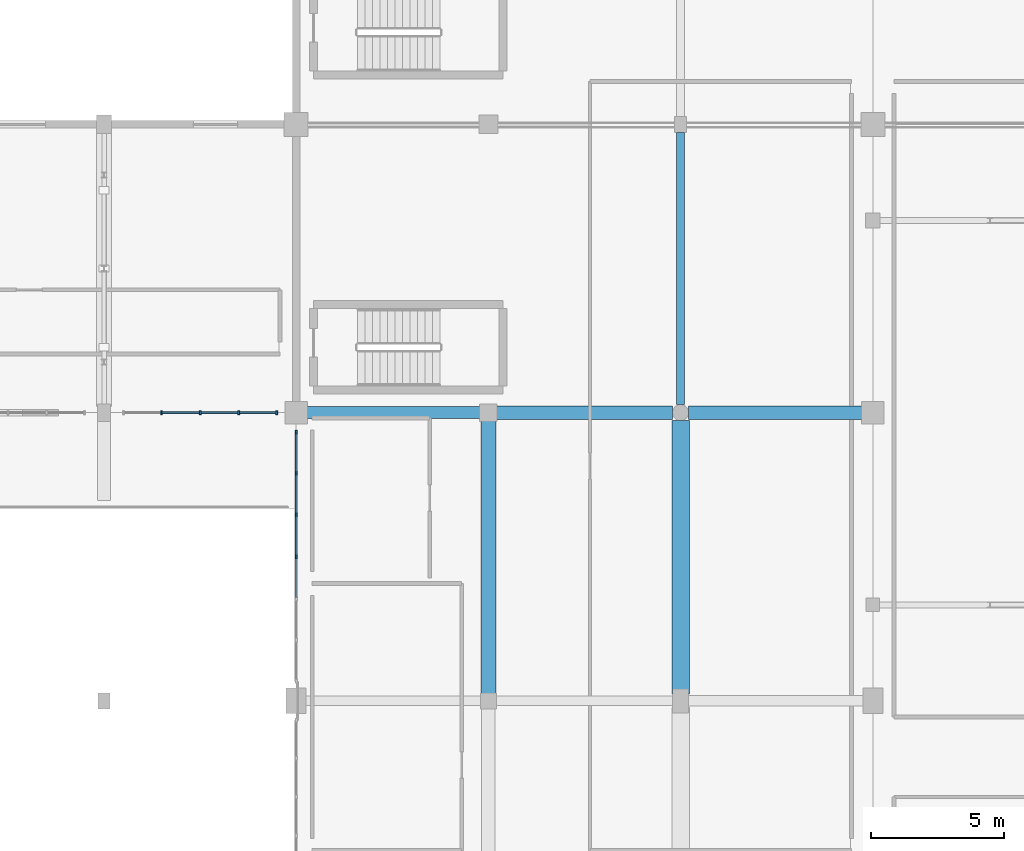
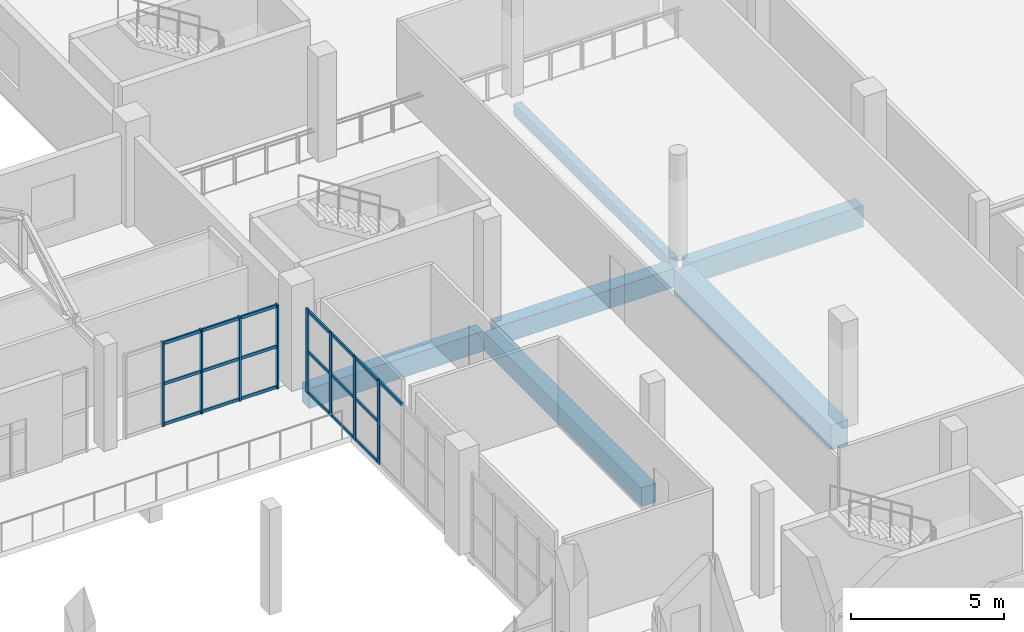
# One storey, part 31 of 92: 27 members, 6 beams, 2 elements without a shape of their own.
"""IFC4 building model written with IfcOpenShell, lengths in metres."""

import ifcopenshell
import ifcopenshell.guid

model = None  # the IFC model being written
_history = None  # IfcOwnerHistory: only IFC2X3 demands one
_inside = {}  # id of a spatial element -> (the spatial element, [elements in it])
_under = {}  # id of a project, library or spatial element -> (it, [spatial elements below it])
_declared = {}  # id of a project -> (the project, [libraries it declares])
_typed = {}  # id of a type object -> (the type object, [elements of that type])
_made_of = {}  # id of a material, layer set ... -> (it, [elements and type objects made of it])


def new_model(schema):
    """Start an empty IFC model of exactly this schema.

    Asked for "IFC4X3", IfcOpenShell would pick the latest addendum, in which some entities
    have other attributes; the version numbers below select the first issue.
    IFC2X3 requires an IfcOwnerHistory on every rooted entity: one is made here for all.
    """
    global model, _history
    if schema == "IFC4X3":
        model = ifcopenshell.file(schema_version=(4, 3, 0, 0))
    else:
        model = ifcopenshell.file(schema=schema)
    _inside.clear()
    _under.clear()
    _declared.clear()
    _typed.clear()
    _made_of.clear()
    _history = None
    if model.schema == "IFC2X3":
        org = make("IfcOrganization", Name="unknown")
        user = make(
            "IfcPersonAndOrganization",
            ThePerson=make("IfcPerson", FamilyName="unknown"),
            TheOrganization=org,
        )
        app = make(
            "IfcApplication",
            ApplicationDeveloper=org,
            Version="unknown",
            ApplicationFullName="unknown",
            ApplicationIdentifier="unknown",
        )
        _history = make(
            "IfcOwnerHistory",
            OwningUser=user,
            OwningApplication=app,
            ChangeAction="ADDED",
            CreationDate=0,
        )
    return model


def make(cls, **values):
    """One entity of the class cls with the attributes given. An attribute that is None is left unset."""
    return model.create_entity(
        cls, **{name: value for name, value in values.items() if value is not None}
    )


def rooted(cls, **values):
    """An entity with a GlobalId (a new one), such as an element, a storey or a relation."""
    return make(cls, GlobalId=ifcopenshell.guid.new(), OwnerHistory=_history, **values)


def si_unit(unit_type, name, prefix=None):
    """IfcSIUnit, for example si_unit("LENGTHUNIT", "METRE", prefix="MILLI")."""
    return make("IfcSIUnit", UnitType=unit_type, Prefix=prefix, Name=name)


def assignment(units):
    """IfcUnitAssignment: the units of a project."""
    return None if units is None else make("IfcUnitAssignment", Units=units)


def point(xyz):
    """IfcCartesianPoint."""
    return None if xyz is None else make("IfcCartesianPoint", Coordinates=xyz)


def direction(xyz):
    """IfcDirection."""
    return None if xyz is None else make("IfcDirection", DirectionRatios=xyz)


def frame(location, z_axis=None, x_axis=None):
    """IfcAxis2Placement3D, a coordinate frame: its origin and axes. An axis left out is left unset."""
    return make(
        "IfcAxis2Placement3D",
        Location=point(location),
        Axis=direction(z_axis),
        RefDirection=direction(x_axis),
    )


def frame_2d(location, x_axis=None):
    """IfcAxis2Placement2D, a coordinate frame in the plane: its origin and x axis."""
    return make(
        "IfcAxis2Placement2D", Location=point(location), RefDirection=direction(x_axis)
    )


def origin():
    """The frame at (0, 0, 0) with its axes left unset."""
    return frame((0.0, 0.0, 0.0))


def origin_2d():
    """The frame at (0, 0) in the plane with its x axis left unset."""
    return frame_2d((0.0, 0.0))


def place(relative_to, where):
    """IfcLocalPlacement: puts the frame where relative to a parent placement (None: the world)."""
    return make(
        "IfcLocalPlacement", PlacementRelTo=relative_to, RelativePlacement=where
    )


def context(
    kind, dimensions, precision=None, world=None, true_north=None, identifier=None
):
    """IfcGeometricRepresentationContext, for example the 3D "Model" context."""
    return make(
        "IfcGeometricRepresentationContext",
        ContextIdentifier=identifier,
        ContextType=kind,
        CoordinateSpaceDimension=dimensions,
        Precision=precision,
        WorldCoordinateSystem=world,
        TrueNorth=true_north,
    )


def subcontext(parent, identifier, kind, view, scale=None):
    """IfcGeometricRepresentationSubContext, for example "Body" below "Model"."""
    return make(
        "IfcGeometricRepresentationSubContext",
        ContextIdentifier=identifier,
        ContextType=kind,
        ParentContext=parent,
        TargetScale=scale,
        TargetView=view,
    )


def project(units=None, contexts=None):
    """IfcProject with its units and contexts."""
    return rooted(
        "IfcProject",
        Name="project",
        RepresentationContexts=contexts,
        UnitsInContext=assignment(units),
    )


def spatial(cls, under=None, at=None, **own):
    """A site, building, storey or space (cls), placed at a placement, below another one or the project."""
    s = rooted(cls, ObjectPlacement=at, **own)
    if under is not None:
        _under.setdefault(under.id(), (under, []))[1].append(s)
    return s


def profile(cls, at=None, kind="AREA", **sizes):
    """A parametric profile (cls). Its sizes go by their IFC names, for example OverallWidth=200.0."""
    return make(cls, ProfileType=kind, Position=at, **sizes)


def rectangle(**sizes):
    """IfcRectangleProfileDef."""
    return profile("IfcRectangleProfileDef", **sizes)


def extrude(swept, where, along, depth):
    """IfcExtrudedAreaSolid: the profile swept, set in the frame where, extruded along a direction by depth."""
    return make(
        "IfcExtrudedAreaSolid",
        SweptArea=swept,
        Position=where,
        ExtrudedDirection=direction(along),
        Depth=depth,
    )


def shape(context_of_items, identifier, shape_type, items):
    """IfcShapeRepresentation: the items that make up one representation, for example the "Body"."""
    return make(
        "IfcShapeRepresentation",
        ContextOfItems=context_of_items,
        RepresentationIdentifier=identifier,
        RepresentationType=shape_type,
        Items=items,
    )


def material(Name=None, Category=None):
    """IfcMaterial."""
    return make("IfcMaterial", Name=Name, Category=Category)


def material_profile(
    of_material, cross_section, Name=None, Category=None, Priority=None
):
    """IfcMaterialProfile: a cross section and its material."""
    return make(
        "IfcMaterialProfile",
        Name=Name,
        Material=of_material,
        Profile=cross_section,
        Priority=Priority,
        Category=Category,
    )


def profile_set(profiles, Name=None, composite=None):
    """IfcMaterialProfileSet."""
    return make(
        "IfcMaterialProfileSet",
        Name=Name,
        MaterialProfiles=profiles,
        CompositeProfile=composite,
    )


def made_of(thing, what):
    """Note that an element or type object is made of a material, layer set ...; save() writes the relation."""
    if what is not None:
        _made_of.setdefault(what.id(), (what, []))[1].append(thing)
    return thing


def type_object(cls, material=None, **own):
    """A type object (cls), such as IfcWallType, which elements share."""
    return made_of(rooted(cls, **own), material)


def element(
    cls,
    number,
    at=None,
    inside=None,
    cuts=None,
    type_object=None,
    material=None,
    context=None,
    identifier="Body",
    shape_type=None,
    held_by="IfcProductDefinitionShape",
    body=None,
    shapes=None,
    **own,
):
    """One element of the class cls, such as IfcWall. Its Tag is "e" and its number.

    at: its placement. inside: the storey or other place that contains it. cuts: it is an
    opening in that element (IfcRelVoidsElement). A single representation is given by context,
    identifier, shape_type and body (its items); several are given by shapes. held_by: the class
    of the entity that holds the representations. save() writes the other relations.
    """
    e = rooted(cls, Tag="e%d" % number, ObjectPlacement=at, **own)
    if body is not None:
        shapes = [shape(context, identifier, shape_type, body)]
    if shapes is not None:
        e.Representation = make(held_by, Representations=shapes)
    if inside is not None:
        _inside.setdefault(inside.id(), (inside, []))[1].append(e)
    if cuts is not None:
        rooted(
            "IfcRelVoidsElement", RelatingBuildingElement=cuts, RelatedOpeningElement=e
        )
    if type_object is not None:
        _typed.setdefault(type_object.id(), (type_object, []))[1].append(e)
    return made_of(e, material)


def aggregate(whole, parts):
    """IfcRelAggregates: a whole, such as a stair, and the parts it consists of."""
    return rooted("IfcRelAggregates", RelatingObject=whole, RelatedObjects=parts)


def save(model, path):
    """Write the relations noted so far, then the file.

    IfcRelAggregates (storeys below a building ...), IfcRelContainedInSpatialStructure (elements
    in a storey), IfcRelDefinesByType, IfcRelAssociatesMaterial and IfcRelDeclares: one each for
    every whole, place, type object, material and project.
    """
    for whole, parts in _under.values():
        aggregate(whole, parts)
    for where, things in _inside.values():
        rooted(
            "IfcRelContainedInSpatialStructure",
            RelatedElements=things,
            RelatingStructure=where,
        )
    for kind, things in _typed.values():
        rooted("IfcRelDefinesByType", RelatedObjects=things, RelatingType=kind)
    for what, things in _made_of.values():
        rooted("IfcRelAssociatesMaterial", RelatedObjects=things, RelatingMaterial=what)
    for by, libraries in _declared.values():
        rooted("IfcRelDeclares", RelatingContext=by, RelatedDefinitions=libraries)
    model.write(path)


model = new_model("IFC4")

# Units and contexts
model_context = context("Model", 3, precision=1e-05, world=origin(), true_north=direction((0.0, 1.0)))
body_context = subcontext(model_context, "Body", "Model", "MODEL_VIEW")
ifc_project = project(units=[si_unit("LENGTHUNIT", "METRE"), si_unit("AREAUNIT", "SQUARE_METRE"), si_unit("VOLUMEUNIT", "CUBIC_METRE"), si_unit("PLANEANGLEUNIT", "RADIAN"), si_unit("MASSUNIT", "GRAM", prefix="KILO")], contexts=[model_context])

# Site, building, storey
site_placement = place(None, origin())
site = spatial("IfcSite", under=ifc_project, at=site_placement, CompositionType="ELEMENT")
building_placement = place(site_placement, origin())
building = spatial("IfcBuilding", under=site, at=building_placement, Name="Solanera Park Tramway Depot", CompositionType="ELEMENT")
storey_placement = place(building_placement, frame((0.0, 0.0, 4.800048828125)))
storey = spatial("IfcBuildingStorey", under=building, at=storey_placement, Name="L01", CompositionType="ELEMENT", Elevation=4.800048828125)

# Curtain wall, members
ifc_material_1 = material(Name="Bronze-anodised thermally broken aluminium curtain wall", Category="aluminium")
curtain_wall_type = type_object("IfcCurtainWallType", Name="Courtyard Cloister Unitised Curtain Wall", PredefinedType="NOTDEFINED", material=ifc_material_1)
curtain_wall_1_placement = place(storey_placement, origin())
curtain_wall_1 = element("IfcCurtainWall", 1, at=curtain_wall_1_placement, inside=storey, type_object=curtain_wall_type, Name="L01 Courtyard Cloister Unitised Curtain Wall #099", PredefinedType="NOTDEFINED")
ifc_material_2 = material(Name="Bronze-anodised structural aluminium 6063-T6", Category="aluminium")
ifc_material_profile_1 = material_profile(ifc_material_2, rectangle(XDim=0.06494140625, YDim=0.14990234375, at=origin_2d()), Name="Curtain Wall Mullion 65x150")
ifc_profile_set_1 = profile_set([ifc_material_profile_1], Name="Bronze-anodised structural aluminium 6063-T6")
member_type_1 = type_object("IfcMemberType", Name="Curtain Wall Mullion 65x150", PredefinedType="MULLION", material=ifc_profile_set_1)
member_1_placement = place(storey_placement, frame((164.867431640625, 43.199951171875, 0.0), z_axis=(0.0, 0.0, 1.0), x_axis=(1.0, 0.0, 0.0)))
member_1 = element("IfcMember", 2, at=member_1_placement, type_object=member_type_1, Name="CW-L01-099 Mullion 1", PredefinedType="MULLION", context=body_context, shape_type="SweptSolid", body=[
    extrude(rectangle(XDim=0.06494140625, YDim=0.14990234375, at=origin_2d()), origin(), (0.0, 0.0, 1.0), 3.349853515625),
])
member_2_placement = place(storey_placement, frame((163.449951171875, 43.199951171875, 0.0), z_axis=(0.0, 0.0, 1.0), x_axis=(1.0, 0.0, 0.0)))
member_2 = element("IfcMember", 3, at=member_2_placement, type_object=member_type_1, Name="CW-L01-099 Mullion 2", PredefinedType="MULLION", context=body_context, shape_type="SweptSolid", body=[
    extrude(rectangle(XDim=0.06494140625, YDim=0.14990234375, at=origin_2d()), origin(), (0.0, 0.0, 1.0), 3.349853515625),
])
member_3_placement = place(storey_placement, frame((162.0, 43.199951171875, 0.0), z_axis=(0.0, 0.0, 1.0), x_axis=(1.0, 0.0, 0.0)))
member_3 = element("IfcMember", 4, at=member_3_placement, type_object=member_type_1, Name="CW-L01-099 Mullion 3", PredefinedType="MULLION", context=body_context, shape_type="SweptSolid", body=[
    extrude(rectangle(XDim=0.06494140625, YDim=0.14990234375, at=origin_2d()), origin(), (0.0, 0.0, 1.0), 3.349853515625),
])
member_4_placement = place(storey_placement, frame((160.550048828125, 43.199951171875, 0.0), z_axis=(0.0, 0.0, 1.0), x_axis=(1.0, 0.0, 0.0)))
member_4 = element("IfcMember", 5, at=member_4_placement, type_object=member_type_1, Name="CW-L01-099 Mullion 4", PredefinedType="MULLION", context=body_context, shape_type="SweptSolid", body=[
    extrude(rectangle(XDim=0.06494140625, YDim=0.14990234375, at=origin_2d()), origin(), (0.0, 0.0, 1.0), 3.349853515625),
])

curtain_wall_2_placement = place(storey_placement, origin())
curtain_wall_2 = element("IfcCurtainWall", 6, at=curtain_wall_2_placement, inside=storey, type_object=curtain_wall_type, Name="L01 Courtyard Cloister Unitised Curtain Wall #103", PredefinedType="NOTDEFINED")
member_5_placement = place(storey_placement, frame((165.60009765625, 42.467529296875, 0.0), z_axis=(0.0, 0.0, 1.0), x_axis=(1.0, 0.0, 0.0)))
member_5 = element("IfcMember", 7, at=member_5_placement, type_object=member_type_1, Name="CW-L01-103 Mullion 1", PredefinedType="MULLION", context=body_context, shape_type="SweptSolid", body=[
    extrude(rectangle(XDim=0.06494140625, YDim=0.14990234375, at=origin_2d()), origin(), (0.0, 0.0, 1.0), 3.349853515625),
])
member_6_placement = place(storey_placement, frame((165.60009765625, 40.933349609375, 0.0), z_axis=(0.0, 0.0, 1.0), x_axis=(1.0, 0.0, 0.0)))
member_6 = element("IfcMember", 8, at=member_6_placement, type_object=member_type_1, Name="CW-L01-103 Mullion 2", PredefinedType="MULLION", context=body_context, shape_type="SweptSolid", body=[
    extrude(rectangle(XDim=0.06494140625, YDim=0.14990234375, at=origin_2d()), origin(), (0.0, 0.0, 1.0), 3.349853515625),
])
member_7_placement = place(storey_placement, frame((165.60009765625, 39.36669921875, 0.0), z_axis=(0.0, 0.0, 1.0), x_axis=(1.0, 0.0, 0.0)))
member_7 = element("IfcMember", 9, at=member_7_placement, type_object=member_type_1, Name="CW-L01-103 Mullion 3", PredefinedType="MULLION", context=body_context, shape_type="SweptSolid", body=[
    extrude(rectangle(XDim=0.06494140625, YDim=0.14990234375, at=origin_2d()), origin(), (0.0, 0.0, 1.0), 3.349853515625),
])
member_8_placement = place(storey_placement, frame((165.60009765625, 37.800048828125, 0.0), z_axis=(0.0, 0.0, 1.0), x_axis=(1.0, 0.0, 0.0)))
member_8 = element("IfcMember", 10, at=member_8_placement, type_object=member_type_1, Name="CW-L01-103 Mullion 4", PredefinedType="MULLION", context=body_context, shape_type="SweptSolid", body=[
    extrude(rectangle(XDim=0.06494140625, YDim=0.14990234375, at=origin_2d()), origin(), (0.0, 0.0, 1.0), 3.349853515625),
])

# Member
ifc_material_3 = material(Name="Bronze-anodised structural aluminium 6063-T6", Category="aluminium")
ifc_material_profile_2 = material_profile(ifc_material_3, rectangle(XDim=0.06494140625, YDim=0.1201171875, at=origin_2d()), Name="Curtain Wall Transom 65x120")
ifc_profile_set_2 = profile_set([ifc_material_profile_2], Name="Bronze-anodised structural aluminium 6063-T6")
member_type_2 = type_object("IfcMemberType", Name="Curtain Wall Transom 65x120", PredefinedType="USERDEFINED", material=ifc_profile_set_2)
member_9_placement = place(storey_placement, frame((164.839599609375, 43.199951171875, 0.06005859375), z_axis=(-1.0, 0.0, 0.0), x_axis=(0.0, -1.0, 0.0)))
member_9 = element("IfcMember", 11, at=member_9_placement, type_object=member_type_2, Name="CW-L01-099 Transom R1.C1", ObjectType="TRANSOM", PredefinedType="USERDEFINED", context=body_context, shape_type="SweptSolid", body=[
    extrude(rectangle(XDim=0.06494140625, YDim=0.1201171875, at=origin_2d()), origin(), (0.0, 0.0, 1.0), 1.361572265625),
])

member_10_placement = place(storey_placement, frame((163.422119140625, 43.199951171875, 0.06005859375), z_axis=(-1.0, 0.0, 0.0), x_axis=(0.0, -1.0, 0.0)))
member_10 = element("IfcMember", 12, at=member_10_placement, type_object=member_type_2, Name="CW-L01-099 Transom R1.C2", ObjectType="TRANSOM", PredefinedType="USERDEFINED", context=body_context, shape_type="SweptSolid", body=[
    extrude(rectangle(XDim=0.06494140625, YDim=0.1201171875, at=origin_2d()), origin(), (0.0, 0.0, 1.0), 1.39404296875),
])

member_11_placement = place(storey_placement, frame((161.971923828125, 43.199951171875, 0.06005859375), z_axis=(-1.0, 0.0, 0.0), x_axis=(0.0, -1.0, 0.0)))
member_11 = element("IfcMember", 13, at=member_11_placement, type_object=member_type_2, Name="CW-L01-099 Transom R1.C3", ObjectType="TRANSOM", PredefinedType="USERDEFINED", context=body_context, shape_type="SweptSolid", body=[
    extrude(rectangle(XDim=0.06494140625, YDim=0.1201171875, at=origin_2d()), origin(), (0.0, 0.0, 1.0), 1.39404296875),
])

member_12_placement = place(storey_placement, frame((164.839599609375, 43.199951171875, 1.675048828125), z_axis=(-1.0, 0.0, 0.0), x_axis=(0.0, -1.0, 0.0)))
member_12 = element("IfcMember", 14, at=member_12_placement, type_object=member_type_2, Name="CW-L01-099 Transom R2.C1", ObjectType="TRANSOM", PredefinedType="USERDEFINED", context=body_context, shape_type="SweptSolid", body=[
    extrude(rectangle(XDim=0.06494140625, YDim=0.1201171875, at=origin_2d()), origin(), (0.0, 0.0, 1.0), 1.361572265625),
])

member_13_placement = place(storey_placement, frame((163.422119140625, 43.199951171875, 1.675048828125), z_axis=(-1.0, 0.0, 0.0), x_axis=(0.0, -1.0, 0.0)))
member_13 = element("IfcMember", 15, at=member_13_placement, type_object=member_type_2, Name="CW-L01-099 Transom R2.C2", ObjectType="TRANSOM", PredefinedType="USERDEFINED", context=body_context, shape_type="SweptSolid", body=[
    extrude(rectangle(XDim=0.06494140625, YDim=0.1201171875, at=origin_2d()), origin(), (0.0, 0.0, 1.0), 1.39404296875),
])

member_14_placement = place(storey_placement, frame((161.971923828125, 43.199951171875, 1.675048828125), z_axis=(-1.0, 0.0, 0.0), x_axis=(0.0, -1.0, 0.0)))
member_14 = element("IfcMember", 16, at=member_14_placement, type_object=member_type_2, Name="CW-L01-099 Transom R2.C3", ObjectType="TRANSOM", PredefinedType="USERDEFINED", context=body_context, shape_type="SweptSolid", body=[
    extrude(rectangle(XDim=0.06494140625, YDim=0.1201171875, at=origin_2d()), origin(), (0.0, 0.0, 1.0), 1.39404296875),
])

member_15_placement = place(storey_placement, frame((164.839599609375, 43.199951171875, 3.2900390625), z_axis=(-1.0, 0.0, 0.0), x_axis=(0.0, -1.0, 0.0)))
member_15 = element("IfcMember", 17, at=member_15_placement, type_object=member_type_2, Name="CW-L01-099 Transom R3.C1", ObjectType="TRANSOM", PredefinedType="USERDEFINED", context=body_context, shape_type="SweptSolid", body=[
    extrude(rectangle(XDim=0.06494140625, YDim=0.1201171875, at=origin_2d()), origin(), (0.0, 0.0, 1.0), 1.361572265625),
])

member_16_placement = place(storey_placement, frame((163.422119140625, 43.199951171875, 3.2900390625), z_axis=(-1.0, 0.0, 0.0), x_axis=(0.0, -1.0, 0.0)))
member_16 = element("IfcMember", 18, at=member_16_placement, type_object=member_type_2, Name="CW-L01-099 Transom R3.C2", ObjectType="TRANSOM", PredefinedType="USERDEFINED", context=body_context, shape_type="SweptSolid", body=[
    extrude(rectangle(XDim=0.06494140625, YDim=0.1201171875, at=origin_2d()), origin(), (0.0, 0.0, 1.0), 1.39404296875),
])

member_17_placement = place(storey_placement, frame((161.971923828125, 43.199951171875, 3.2900390625), z_axis=(-1.0, 0.0, 0.0), x_axis=(0.0, -1.0, 0.0)))
member_17 = element("IfcMember", 19, at=member_17_placement, type_object=member_type_2, Name="CW-L01-099 Transom R3.C3", ObjectType="TRANSOM", PredefinedType="USERDEFINED", context=body_context, shape_type="SweptSolid", body=[
    extrude(rectangle(XDim=0.06494140625, YDim=0.1201171875, at=origin_2d()), origin(), (0.0, 0.0, 1.0), 1.39404296875),
])

aggregate(curtain_wall_1, [member_1, member_2, member_3, member_4, member_9, member_10, member_11, member_12, member_13, member_14, member_15, member_16, member_17])

member_18_placement = place(storey_placement, frame((165.60009765625, 42.439453125, 0.06005859375), z_axis=(0.0, -1.0, 0.0), x_axis=(1.0, 0.0, 0.0)))
member_18 = element("IfcMember", 20, at=member_18_placement, type_object=member_type_2, Name="CW-L01-103 Transom R1.C1", ObjectType="TRANSOM", PredefinedType="USERDEFINED", context=body_context, shape_type="SweptSolid", body=[
    extrude(rectangle(XDim=0.06494140625, YDim=0.1201171875, at=origin_2d()), origin(), (0.0, 0.0, 1.0), 1.478271484375),
])

member_19_placement = place(storey_placement, frame((165.60009765625, 40.9052734375, 0.06005859375), z_axis=(0.0, -1.0, 0.0), x_axis=(1.0, 0.0, 0.0)))
member_19 = element("IfcMember", 21, at=member_19_placement, type_object=member_type_2, Name="CW-L01-103 Transom R1.C2", ObjectType="TRANSOM", PredefinedType="USERDEFINED", context=body_context, shape_type="SweptSolid", body=[
    extrude(rectangle(XDim=0.06494140625, YDim=0.1201171875, at=origin_2d()), origin(), (0.0, 0.0, 1.0), 1.510498046875),
])

member_20_placement = place(storey_placement, frame((165.60009765625, 39.338623046875, 0.06005859375), z_axis=(0.0, -1.0, 0.0), x_axis=(1.0, 0.0, 0.0)))
member_20 = element("IfcMember", 22, at=member_20_placement, type_object=member_type_2, Name="CW-L01-103 Transom R1.C3", ObjectType="TRANSOM", PredefinedType="USERDEFINED", context=body_context, shape_type="SweptSolid", body=[
    extrude(rectangle(XDim=0.06494140625, YDim=0.1201171875, at=origin_2d()), origin(), (0.0, 0.0, 1.0), 1.5107421875),
])

member_21_placement = place(storey_placement, frame((165.60009765625, 42.439453125, 1.675048828125), z_axis=(0.0, -1.0, 0.0), x_axis=(1.0, 0.0, 0.0)))
member_21 = element("IfcMember", 23, at=member_21_placement, type_object=member_type_2, Name="CW-L01-103 Transom R2.C1", ObjectType="TRANSOM", PredefinedType="USERDEFINED", context=body_context, shape_type="SweptSolid", body=[
    extrude(rectangle(XDim=0.06494140625, YDim=0.1201171875, at=origin_2d()), origin(), (0.0, 0.0, 1.0), 1.478271484375),
])

member_22_placement = place(storey_placement, frame((165.60009765625, 40.9052734375, 1.675048828125), z_axis=(0.0, -1.0, 0.0), x_axis=(1.0, 0.0, 0.0)))
member_22 = element("IfcMember", 24, at=member_22_placement, type_object=member_type_2, Name="CW-L01-103 Transom R2.C2", ObjectType="TRANSOM", PredefinedType="USERDEFINED", context=body_context, shape_type="SweptSolid", body=[
    extrude(rectangle(XDim=0.06494140625, YDim=0.1201171875, at=origin_2d()), origin(), (0.0, 0.0, 1.0), 1.510498046875),
])

member_23_placement = place(storey_placement, frame((165.60009765625, 39.338623046875, 1.675048828125), z_axis=(0.0, -1.0, 0.0), x_axis=(1.0, 0.0, 0.0)))
member_23 = element("IfcMember", 25, at=member_23_placement, type_object=member_type_2, Name="CW-L01-103 Transom R2.C3", ObjectType="TRANSOM", PredefinedType="USERDEFINED", context=body_context, shape_type="SweptSolid", body=[
    extrude(rectangle(XDim=0.06494140625, YDim=0.1201171875, at=origin_2d()), origin(), (0.0, 0.0, 1.0), 1.5107421875),
])

member_24_placement = place(storey_placement, frame((165.60009765625, 42.439453125, 3.2900390625), z_axis=(0.0, -1.0, 0.0), x_axis=(1.0, 0.0, 0.0)))
member_24 = element("IfcMember", 26, at=member_24_placement, type_object=member_type_2, Name="CW-L01-103 Transom R3.C1", ObjectType="TRANSOM", PredefinedType="USERDEFINED", context=body_context, shape_type="SweptSolid", body=[
    extrude(rectangle(XDim=0.06494140625, YDim=0.1201171875, at=origin_2d()), origin(), (0.0, 0.0, 1.0), 1.478271484375),
])

member_25_placement = place(storey_placement, frame((165.60009765625, 40.9052734375, 3.2900390625), z_axis=(0.0, -1.0, 0.0), x_axis=(1.0, 0.0, 0.0)))
member_25 = element("IfcMember", 27, at=member_25_placement, type_object=member_type_2, Name="CW-L01-103 Transom R3.C2", ObjectType="TRANSOM", PredefinedType="USERDEFINED", context=body_context, shape_type="SweptSolid", body=[
    extrude(rectangle(XDim=0.06494140625, YDim=0.1201171875, at=origin_2d()), origin(), (0.0, 0.0, 1.0), 1.510498046875),
])

member_26_placement = place(storey_placement, frame((165.60009765625, 39.338623046875, 3.2900390625), z_axis=(0.0, -1.0, 0.0), x_axis=(1.0, 0.0, 0.0)))
member_26 = element("IfcMember", 28, at=member_26_placement, type_object=member_type_2, Name="CW-L01-103 Transom R3.C3", ObjectType="TRANSOM", PredefinedType="USERDEFINED", context=body_context, shape_type="SweptSolid", body=[
    extrude(rectangle(XDim=0.06494140625, YDim=0.1201171875, at=origin_2d()), origin(), (0.0, 0.0, 1.0), 1.5107421875),
])

member_27_placement = place(storey_placement, frame((165.60009765625, 37.77197265625, 3.2900390625), z_axis=(0.0, -1.0, 0.0), x_axis=(1.0, 0.0, 0.0)))
member_27 = element("IfcMember", 29, at=member_27_placement, type_object=member_type_2, Name="CW-L01-103 Transom R3.C4", ObjectType="TRANSOM", PredefinedType="USERDEFINED", context=body_context, shape_type="SweptSolid", body=[
    extrude(rectangle(XDim=0.06494140625, YDim=0.1201171875, at=origin_2d()), origin(), (0.0, 0.0, 1.0), 1.5107421875),
])

aggregate(curtain_wall_2, [member_5, member_6, member_7, member_8, member_18, member_19, member_20, member_21, member_22, member_23, member_24, member_25, member_26, member_27])

# Beams
ifc_material_4 = material(Name="Concrete N40 (C40/50)", Category="concrete")
ifc_material_profile_3 = material_profile(ifc_material_4, rectangle(XDim=0.300048828125, YDim=0.449951171875, at=origin_2d()), Name="RCB 300x450")
ifc_profile_set_3 = profile_set([ifc_material_profile_3], Name="Concrete N40 (C40/50)")
beam_type_1 = type_object("IfcBeamType", Name="RC Floor Beam RCB 300x450", PredefinedType="BEAM", material=ifc_profile_set_3)
beam_1_placement = place(storey_placement, frame((180.0, 43.5, -0.504150390625), z_axis=(0.0, 1.0, 0.0), x_axis=(-1.0, 0.0, 0.0)))
element("IfcBeam", 30, at=beam_1_placement, inside=storey, type_object=beam_type_1, Name="L01 Primary Y-Girder RCB 300x450 #0076", PredefinedType="BEAM", context=body_context, shape_type="SweptSolid", body=[
    extrude(rectangle(XDim=0.300048828125, YDim=0.449951171875, at=origin_2d()), origin(), (0.0, 0.0, 1.0), 10.199951171875),
])
ifc_material_5 = material(Name="Concrete N40 (C40/50)", Category="concrete")
ifc_material_profile_4 = material_profile(ifc_material_5, rectangle(XDim=0.449951171875, YDim=0.800048828125, at=origin_2d()), Name="RCB 450x800")
ifc_profile_set_4 = profile_set([ifc_material_profile_4], Name="Concrete N40 (C40/50)")
beam_type_2 = type_object("IfcBeamType", Name="RC Floor Beam RCB 450x800", PredefinedType="BEAM", material=ifc_profile_set_4)
beam_2_placement = place(storey_placement, frame((165.949951171875, 43.199951171875, -0.678955078125), z_axis=(1.0, 0.0, 0.0), x_axis=(0.0, 1.0, 0.0)))
element("IfcBeam", 31, at=beam_2_placement, inside=storey, type_object=beam_type_2, Name="L01 Primary X-Girder RCB 450x800 #0029", PredefinedType="BEAM", context=body_context, shape_type="SweptSolid", body=[
    extrude(rectangle(XDim=0.449951171875, YDim=0.800048828125, at=origin_2d()), origin(), (0.0, 0.0, 1.0), 6.574951171875),
])
ifc_material_6 = material(Name="Concrete N40 (C40/50)", Category="concrete")
ifc_material_profile_5 = material_profile(ifc_material_6, rectangle(XDim=0.5, YDim=0.75, at=origin_2d()), Name="RCB 500x750")
ifc_profile_set_5 = profile_set([ifc_material_profile_5], Name="Concrete N40 (C40/50)")
beam_type_3 = type_object("IfcBeamType", Name="RC Floor Beam RCB 500x750", PredefinedType="BEAM", material=ifc_profile_set_5)
beam_3_placement = place(storey_placement, frame((173.074951171875, 43.199951171875, -0.654052734375), z_axis=(1.0, 0.0, 0.0), x_axis=(0.0, 1.0, 0.0)))
element("IfcBeam", 32, at=beam_3_placement, inside=storey, type_object=beam_type_3, Name="L01 Primary X-Girder RCB 500x750 #0030", PredefinedType="BEAM", context=body_context, shape_type="SweptSolid", body=[
    extrude(rectangle(XDim=0.5, YDim=0.75, at=origin_2d()), origin(), (0.0, 0.0, 1.0), 6.625),
])
ifc_material_7 = material(Name="Concrete N40 (C40/50)", Category="concrete")
ifc_material_profile_6 = material_profile(ifc_material_7, rectangle(XDim=0.5, YDim=0.85009765625, at=origin_2d()), Name="RCB 500x850")
ifc_profile_set_6 = profile_set([ifc_material_profile_6], Name="Concrete N40 (C40/50)")
beam_type_4 = type_object("IfcBeamType", Name="RC Floor Beam RCB 500x850", PredefinedType="BEAM", material=ifc_profile_set_6)
beam_4_placement = place(storey_placement, frame((180.300048828125, 43.199951171875, -0.7041015625), z_axis=(1.0, 0.0, 0.0), x_axis=(0.0, 1.0, 0.0)))
element("IfcBeam", 33, at=beam_4_placement, inside=storey, type_object=beam_type_4, Name="L01 Primary X-Girder RCB 500x850 #0031", PredefinedType="BEAM", context=body_context, shape_type="SweptSolid", body=[
    extrude(rectangle(XDim=0.5, YDim=0.85009765625, at=origin_2d()), origin(), (0.0, 0.0, 1.0), 6.550048828125),
])
ifc_material_8 = material(Name="Concrete N40 (C40/50)", Category="concrete")
ifc_material_profile_7 = material_profile(ifc_material_8, rectangle(XDim=0.550048828125, YDim=0.75, at=origin_2d()), Name="RCB 550x750")
ifc_profile_set_7 = profile_set([ifc_material_profile_7], Name="Concrete N40 (C40/50)")
beam_type_5 = type_object("IfcBeamType", Name="RC Floor Beam RCB 550x750", PredefinedType="BEAM", material=ifc_profile_set_7)
beam_5_placement = place(storey_placement, frame((172.800048828125, 32.64990234375, -0.654052734375), z_axis=(0.0, 1.0, 0.0), x_axis=(-1.0, 0.0, 0.0)))
element("IfcBeam", 34, at=beam_5_placement, inside=storey, type_object=beam_type_5, Name="L01 Primary Y-Girder RCB 550x750 #0070", PredefinedType="BEAM", context=body_context, shape_type="SweptSolid", body=[
    extrude(rectangle(XDim=0.550048828125, YDim=0.75, at=origin_2d()), origin(), (0.0, 0.0, 1.0), 10.275146484375),
])
ifc_material_9 = material(Name="Concrete N40 (C40/50)", Category="concrete")
ifc_material_profile_8 = material_profile(ifc_material_9, rectangle(XDim=0.64990234375, YDim=1.0, at=origin_2d()), Name="RCB 650x1000")
ifc_profile_set_8 = profile_set([ifc_material_profile_8], Name="Concrete N40 (C40/50)")
beam_type_6 = type_object("IfcBeamType", Name="RC Floor Beam RCB 650x1000", PredefinedType="BEAM", material=ifc_profile_set_8)
beam_6_placement = place(storey_placement, frame((180.0, 32.64990234375, -0.779052734375), z_axis=(0.0, 1.0, 0.0), x_axis=(-1.0, 0.0, 0.0)))
element("IfcBeam", 35, at=beam_6_placement, inside=storey, type_object=beam_type_6, Name="L01 Primary Y-Girder RCB 650x1000 #0075", PredefinedType="BEAM", context=body_context, shape_type="SweptSolid", body=[
    extrude(rectangle(XDim=0.64990234375, YDim=1.0, at=origin_2d()), origin(), (0.0, 0.0, 1.0), 10.25),
])

save(model, "model.ifc")
